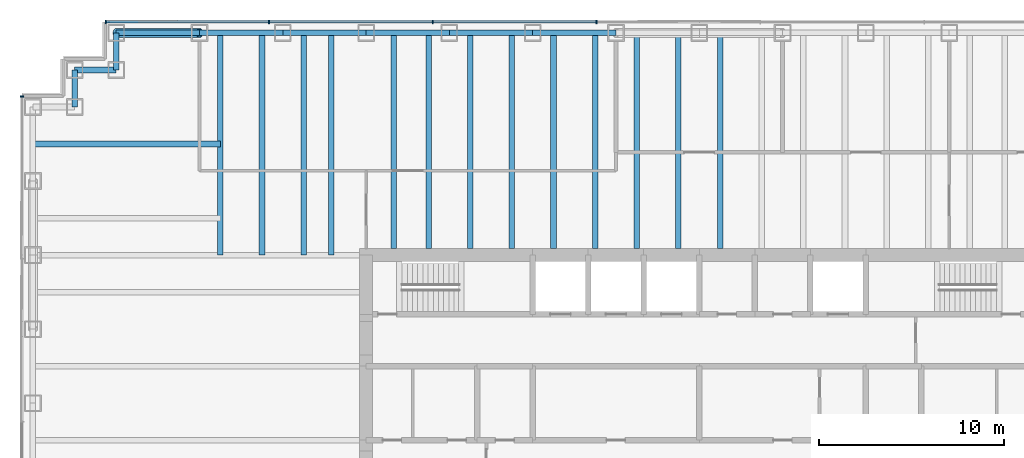
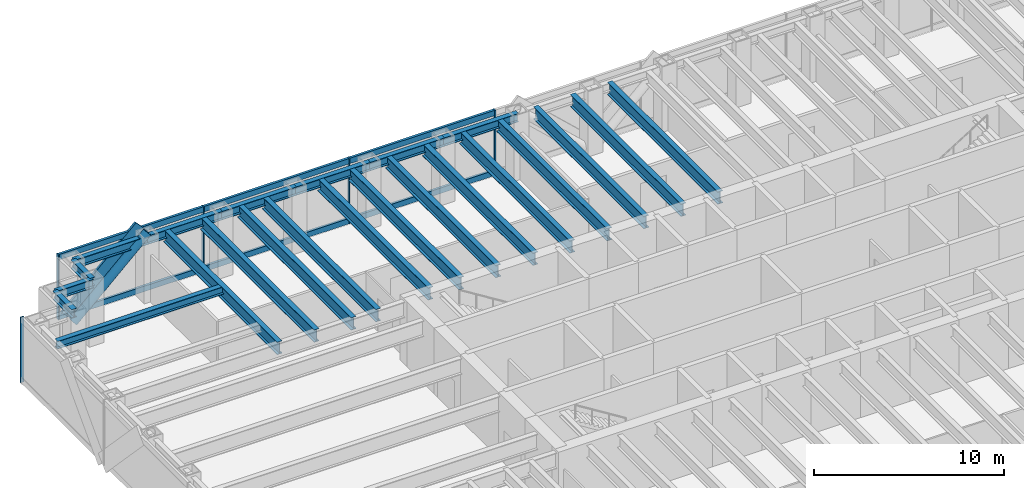
# One storey, part 6 of 17: 23 beams, 13 members, 2 elements without a shape of their own.
"""IFC4 building model written with IfcOpenShell, lengths in metres."""

from ifc_helpers import new_model, si_unit, direction, frame, origin, origin_2d, place, context, subcontext, project, spatial, rectangle, hollow_circle, i_section, extrude, material, material_profile, profile_set, type_object, element, aggregate, save


model = new_model("IFC4")

# Units and contexts
model_context = context("Model", 3, precision=1e-05, world=origin(), true_north=direction((0.0, 1.0)))
body_context = subcontext(model_context, "Body", "Model", "MODEL_VIEW")
ifc_project = project(units=[si_unit("LENGTHUNIT", "METRE"), si_unit("AREAUNIT", "SQUARE_METRE"), si_unit("VOLUMEUNIT", "CUBIC_METRE"), si_unit("PLANEANGLEUNIT", "RADIAN"), si_unit("MASSUNIT", "GRAM", prefix="KILO")], contexts=[model_context])

# Site, building, storey
site_placement = place(None, origin())
site = spatial("IfcSite", under=ifc_project, at=site_placement, CompositionType="ELEMENT")
building_placement = place(site_placement, origin())
building = spatial("IfcBuilding", under=site, at=building_placement, Name="Rheinbord Bourse Tower", CompositionType="ELEMENT")
storey_placement = place(building_placement, frame((0.0, 0.0, 304.699951171875)))
storey = spatial("IfcBuildingStorey", under=building, at=storey_placement, Name="L69", CompositionType="ELEMENT", Elevation=304.699951171875)

# Curtain wall, members
ifc_material_1 = material(Name="Dark glass and black aluminium", Category="aluminium")
curtain_wall_type = type_object("IfcCurtainWallType", Name="CW3 DARK GLASS CURTAIN WALL", PredefinedType="USERDEFINED", material=ifc_material_1)
curtain_wall_1_placement = place(storey_placement, origin())
curtain_wall_1 = element("IfcCurtainWall", 1, at=curtain_wall_1_placement, inside=storey, type_object=curtain_wall_type, Name="Curtain wall CW3 N L69", ObjectType="UNITISED CURTAIN WALL", PredefinedType="USERDEFINED")
ifc_material_2 = material(Name="Black anodised aluminium", Category="aluminium")
ifc_material_profile_1 = material_profile(ifc_material_2, rectangle(XDim=0.14990234375, YDim=1.10791015625, at=origin_2d()), Name="CW3 DIAGONAL MULLION 1108x150")
ifc_profile_set_1 = profile_set([ifc_material_profile_1], Name="Black anodised aluminium")
member_type_1 = type_object("IfcMemberType", Name="CW3 BLACK DIAGONAL MULLION", PredefinedType="USERDEFINED", material=ifc_profile_set_1)
member_1_placement = place(storey_placement, frame((4.5, 44.60009765625, 0.0), z_axis=(0.73105922506, 0.0, 0.682314010889), x_axis=(0.0, 1.0, 0.0)))
member_1 = element("IfcMember", 2, at=member_1_placement, type_object=member_type_1, Name="CW3 diagonal mullion b", ObjectType="DIAGONAL MULLION", PredefinedType="USERDEFINED", context=body_context, shape_type="SweptSolid", body=[
    extrude(rectangle(XDim=0.14990234375, YDim=1.10791015625, at=origin_2d()), origin(), (0.0, 0.0, 1.0), 6.155517578125),
])
ifc_material_3 = material(Name="Black anodised aluminium", Category="aluminium")
ifc_material_profile_2 = material_profile(ifc_material_3, rectangle(XDim=0.199951171875, YDim=0.06494140625, at=origin_2d()), Name="CW3 MULLION 65x200")
ifc_profile_set_2 = profile_set([ifc_material_profile_2], Name="Black anodised aluminium")
member_type_2 = type_object("IfcMemberType", Name="CW3 BLACK MULLION", PredefinedType="MULLION", material=ifc_profile_set_2)
member_2_placement = place(storey_placement, frame((30.449951171875, 44.60009765625, 0.0), z_axis=(0.0, 0.0, 1.0), x_axis=(0.0, -1.0, 0.0)))
member_2 = element("IfcMember", 3, at=member_2_placement, type_object=member_type_2, Name="CW3 mullion 5", PredefinedType="MULLION", context=body_context, shape_type="SweptSolid", body=[
    extrude(rectangle(XDim=0.199951171875, YDim=0.06494140625, at=origin_2d()), origin(), (0.0, 0.0, 1.0), 4.199951171875),
])
member_3_placement = place(storey_placement, frame((21.60009765625, 44.60009765625, 0.0), z_axis=(0.0, 0.0, 1.0), x_axis=(0.0, -1.0, 0.0)))
member_3 = element("IfcMember", 4, at=member_3_placement, type_object=member_type_2, Name="CW3 mullion 6", PredefinedType="MULLION", context=body_context, shape_type="SweptSolid", body=[
    extrude(rectangle(XDim=0.199951171875, YDim=0.06494140625, at=origin_2d()), origin(), (0.0, 0.0, 1.0), 4.199951171875),
])
member_4_placement = place(storey_placement, frame((12.75, 44.60009765625, 0.0), z_axis=(0.0, 0.0, 1.0), x_axis=(0.0, -1.0, 0.0)))
member_4 = element("IfcMember", 5, at=member_4_placement, type_object=member_type_2, Name="CW3 mullion 7", PredefinedType="MULLION", context=body_context, shape_type="SweptSolid", body=[
    extrude(rectangle(XDim=0.199951171875, YDim=0.06494140625, at=origin_2d()), origin(), (0.0, 0.0, 1.0), 4.199951171875),
])
member_5_placement = place(storey_placement, frame((3.9326171875, 44.60009765625, 0.0), z_axis=(0.0, 0.0, 1.0), x_axis=(0.0, -1.0, 0.0)))
member_5 = element("IfcMember", 6, at=member_5_placement, type_object=member_type_2, Name="CW3 mullion 8", PredefinedType="MULLION", context=body_context, shape_type="SweptSolid", body=[
    extrude(rectangle(XDim=0.199951171875, YDim=0.06494140625, at=origin_2d()), origin(), (0.0, 0.0, 1.0), 4.199951171875),
])

# Curtain wall, member
curtain_wall_2_placement = place(storey_placement, origin())
curtain_wall_2 = element("IfcCurtainWall", 7, at=curtain_wall_2_placement, inside=storey, type_object=curtain_wall_type, Name="Curtain wall CW3 W L69", ObjectType="UNITISED CURTAIN WALL", PredefinedType="USERDEFINED")
member_6_placement = place(storey_placement, frame((-0.60009765625, 40.5673828125, 0.0), z_axis=(0.0, 0.0, 1.0), x_axis=(1.0, 0.0, 0.0)))
member_6 = element("IfcMember", 8, at=member_6_placement, type_object=member_type_2, Name="CW3 mullion 1", PredefinedType="MULLION", context=body_context, shape_type="SweptSolid", body=[
    extrude(rectangle(XDim=0.199951171875, YDim=0.06494140625, at=origin_2d()), origin(), (0.0, 0.0, 1.0), 4.199951171875),
])
aggregate(curtain_wall_2, [member_6])

# Member
ifc_material_4 = material(Name="Black anodised aluminium", Category="aluminium")
ifc_material_profile_3 = material_profile(ifc_material_4, rectangle(XDim=0.14990234375, YDim=0.35009765625, at=origin_2d()), Name="CW3 TRANSOM 350x150")
ifc_profile_set_3 = profile_set([ifc_material_profile_3], Name="Black anodised aluminium")
member_type_3 = type_object("IfcMemberType", Name="CW3 BLACK TRANSOM", PredefinedType="USERDEFINED", material=ifc_profile_set_3)
member_7_placement = place(storey_placement, frame((30.41748046875, 44.60009765625, 0.175048828125), z_axis=(-1.0, 0.0, 0.0), x_axis=(0.0, -1.0, 0.0)))
member_7 = element("IfcMember", 9, at=member_7_placement, type_object=member_type_3, Name="CW3 transom 5.1", ObjectType="TRANSOM", PredefinedType="USERDEFINED", context=body_context, shape_type="SweptSolid", body=[
    extrude(rectangle(XDim=0.14990234375, YDim=0.35009765625, at=origin_2d()), origin(), (0.0, 0.0, 1.0), 8.784912109375),
])

member_8_placement = place(storey_placement, frame((30.41748046875, 44.60009765625, 4.025146484375), z_axis=(-1.0, 0.0, 0.0), x_axis=(0.0, -1.0, 0.0)))
member_8 = element("IfcMember", 10, at=member_8_placement, type_object=member_type_3, Name="CW3 transom 5.2", ObjectType="TRANSOM", PredefinedType="USERDEFINED", context=body_context, shape_type="SweptSolid", body=[
    extrude(rectangle(XDim=0.14990234375, YDim=0.35009765625, at=origin_2d()), origin(), (0.0, 0.0, 1.0), 8.784912109375),
])

member_9_placement = place(storey_placement, frame((21.5673828125, 44.60009765625, 0.175048828125), z_axis=(-1.0, 0.0, 0.0), x_axis=(0.0, -1.0, 0.0)))
member_9 = element("IfcMember", 11, at=member_9_placement, type_object=member_type_3, Name="CW3 transom 6.1", ObjectType="TRANSOM", PredefinedType="USERDEFINED", context=body_context, shape_type="SweptSolid", body=[
    extrude(rectangle(XDim=0.14990234375, YDim=0.35009765625, at=origin_2d()), origin(), (0.0, 0.0, 1.0), 8.784912109375),
])

member_10_placement = place(storey_placement, frame((21.5673828125, 44.60009765625, 4.025146484375), z_axis=(-1.0, 0.0, 0.0), x_axis=(0.0, -1.0, 0.0)))
member_10 = element("IfcMember", 12, at=member_10_placement, type_object=member_type_3, Name="CW3 transom 6.2", ObjectType="TRANSOM", PredefinedType="USERDEFINED", context=body_context, shape_type="SweptSolid", body=[
    extrude(rectangle(XDim=0.14990234375, YDim=0.35009765625, at=origin_2d()), origin(), (0.0, 0.0, 1.0), 8.784912109375),
])

member_11_placement = place(storey_placement, frame((12.717529296875, 44.60009765625, 0.175048828125), z_axis=(-1.0, 0.0, 0.0), x_axis=(0.0, -1.0, 0.0)))
member_11 = element("IfcMember", 13, at=member_11_placement, type_object=member_type_3, Name="CW3 transom 7.1", ObjectType="TRANSOM", PredefinedType="USERDEFINED", context=body_context, shape_type="SweptSolid", body=[
    extrude(rectangle(XDim=0.14990234375, YDim=0.35009765625, at=origin_2d()), origin(), (0.0, 0.0, 1.0), 8.75244140625),
])

member_12_placement = place(storey_placement, frame((12.717529296875, 44.60009765625, 4.025146484375), z_axis=(-1.0, 0.0, 0.0), x_axis=(0.0, -1.0, 0.0)))
member_12 = element("IfcMember", 14, at=member_12_placement, type_object=member_type_3, Name="CW3 transom 7.2", ObjectType="TRANSOM", PredefinedType="USERDEFINED", context=body_context, shape_type="SweptSolid", body=[
    extrude(rectangle(XDim=0.14990234375, YDim=0.35009765625, at=origin_2d()), origin(), (0.0, 0.0, 1.0), 8.75244140625),
])

aggregate(curtain_wall_1, [member_2, member_3, member_4, member_5, member_7, member_8, member_9, member_10, member_11, member_12, member_1])

# Beams
ifc_material_5 = material(Name="Steel S460", Category="steel")
ifc_material_profile_4 = material_profile(ifc_material_5, i_section(OverallWidth=0.300048828125, OverallDepth=0.800048828125, WebThickness=0.017578125, FlangeThickness=0.032958984375, at=origin_2d()), Name="HEB 800")
ifc_profile_set_4 = profile_set([ifc_material_profile_4], Name="Steel S460")
beam_type_1 = type_object("IfcBeamType", Name="FLOOR BEAM HEB 800", PredefinedType="BEAM", material=ifc_profile_set_4)
for number, where, z_axis, x_axis, name in (
    (15, (10.125, 44.0, 3.64013671875), (0.0, -1.0, 0.0), (1.0, 0.0, 0.0), "Floor beam N-9a L70"),
    (16, (12.375, 44.0, 3.64013671875), (0.0, -1.0, 0.0), (1.0, 0.0, 0.0), "Floor beam N-9b L70"),
    (17, (14.625, 44.0, 3.64013671875), (0.0, -1.0, 0.0), (1.0, 0.0, 0.0), "Floor beam N-13.5a L70"),
    (18, (16.125, 44.0, 3.64013671875), (0.0, -1.0, 0.0), (1.0, 0.0, 0.0), "Floor beam N-13.5b L70"),
):
    element("IfcBeam", number, at=place(storey_placement, frame(where, z_axis=z_axis, x_axis=x_axis)), inside=storey, type_object=beam_type_1, Name=name, PredefinedType="BEAM", context=body_context, shape_type="SweptSolid", body=[
        extrude(i_section(OverallWidth=0.300048828125, OverallDepth=0.800048828125, WebThickness=0.017578125, FlangeThickness=0.032958984375, at=origin_2d()), origin(), (0.0, 0.0, 1.0), 12.0),
    ])
for number, where, z_axis, x_axis, name in (
    (19, (19.5, 44.0, 3.64013671875), (0.0, -1.0, 0.0), (1.0, 0.0, 0.0), "Floor beam N-18a L70"),
    (20, (21.375, 44.0, 3.64013671875), (0.0, -1.0, 0.0), (1.0, 0.0, 0.0), "Floor beam N-18b L70"),
    (21, (23.625, 44.0, 3.64013671875), (0.0, -1.0, 0.0), (1.0, 0.0, 0.0), "Floor beam N-22.5a L70"),
    (22, (25.875, 44.0, 3.64013671875), (0.0, -1.0, 0.0), (1.0, 0.0, 0.0), "Floor beam N-22.5b L70"),
    (23, (28.125, 44.0, 3.64013671875), (0.0, -1.0, 0.0), (1.0, 0.0, 0.0), "Floor beam N-27a L70"),
    (24, (30.375, 44.0, 3.64013671875), (0.0, -1.0, 0.0), (1.0, 0.0, 0.0), "Floor beam N-27b L70"),
    (25, (32.625, 44.0, 3.64013671875), (0.0, -1.0, 0.0), (1.0, 0.0, 0.0), "Floor beam N-31.5a L70"),
    (26, (34.875, 44.0, 3.64013671875), (0.0, -1.0, 0.0), (1.0, 0.0, 0.0), "Floor beam N-31.5b L70"),
    (27, (37.125, 44.0, 3.64013671875), (0.0, -1.0, 0.0), (1.0, 0.0, 0.0), "Floor beam N-36a L70"),
):
    element("IfcBeam", number, at=place(storey_placement, frame(where, z_axis=z_axis, x_axis=x_axis)), inside=storey, type_object=beam_type_1, Name=name, PredefinedType="BEAM", context=body_context, shape_type="SweptSolid", body=[
        extrude(i_section(OverallWidth=0.300048828125, OverallDepth=0.800048828125, WebThickness=0.017578125, FlangeThickness=0.032958984375, at=origin_2d()), origin(), (0.0, 0.0, 1.0), 11.64990234375),
    ])

# Member
ifc_material_6 = material(Name="Steel S460", Category="steel")
ifc_material_profile_5 = material_profile(ifc_material_6, hollow_circle(Radius=0.25390625, WallThickness=0.030029296875, at=origin_2d()), Name="CHS 508x30")
ifc_profile_set_5 = profile_set([ifc_material_profile_5], Name="Steel S460")
member_type_4 = type_object("IfcMemberType", Name="MEGABRACE CHS 508x30", PredefinedType="BRACE", material=ifc_profile_set_5)
member_13_placement = place(storey_placement, frame((4.5, 44.0, 0.0), z_axis=(0.73105922506, 0.0, 0.682314010889), x_axis=(0.0, 1.0, 0.0)))
element("IfcMember", 28, at=member_13_placement, inside=storey, type_object=member_type_4, Name="Megabrace N face line b L69", PredefinedType="BRACE", context=body_context, shape_type="SweptSolid", body=[
    extrude(hollow_circle(Radius=0.25390625, WallThickness=0.030029296875, at=origin_2d()), origin(), (0.0, 0.0, 1.0), 6.155517578125),
])

# Beams
ifc_material_7 = material(Name="Steel S460", Category="steel")
ifc_material_profile_6 = material_profile(ifc_material_7, i_section(OverallWidth=0.300048828125, OverallDepth=0.550048828125, WebThickness=0.014892578125, FlangeThickness=0.029052734375, at=origin_2d()), Name="HEB 550")
ifc_profile_set_6 = profile_set([ifc_material_profile_6], Name="Steel S460")
beam_type_2 = type_object("IfcBeamType", Name="SPANDREL HEB 550", PredefinedType="SPANDREL", material=ifc_profile_set_6)
for number, where, z_axis, x_axis, name in (
    (29, (31.5, 44.0, 3.76513671875), (-1.0, 0.0, 0.0), (0.0, -1.0, 0.0), "Spandrel N-31.5-N-27 under L70"),
    (30, (27.0, 44.0, 3.76513671875), (-1.0, 0.0, 0.0), (0.0, -1.0, 0.0), "Spandrel N-27-N-22.5 under L70"),
    (31, (22.5, 44.0, 3.76513671875), (-1.0, 0.0, 0.0), (0.0, -1.0, 0.0), "Spandrel N-22.5-N-18 under L70"),
    (32, (18.0, 44.0, 3.76513671875), (-1.0, 0.0, 0.0), (0.0, -1.0, 0.0), "Spandrel N-18-N-13.5 under L70"),
    (33, (13.5, 44.0, 3.76513671875), (-1.0, 0.0, 0.0), (0.0, -1.0, 0.0), "Spandrel N-13.5-N-9 under L70"),
    (34, (9.0, 44.0, 3.76513671875), (-1.0, 0.0, 0.0), (0.0, -1.0, 0.0), "Spandrel N-9-NW-E under L70"),
):
    element("IfcBeam", number, at=place(storey_placement, frame(where, z_axis=z_axis, x_axis=x_axis)), inside=storey, type_object=beam_type_2, Name=name, PredefinedType="SPANDREL", context=body_context, shape_type="SweptSolid", body=[
        extrude(i_section(OverallWidth=0.300048828125, OverallDepth=0.550048828125, WebThickness=0.014892578125, FlangeThickness=0.029052734375, at=origin_2d()), origin(), (0.0, 0.0, 1.0), 4.5),
    ])
beam_1_placement = place(storey_placement, frame((4.5, 44.0, 3.76513671875), z_axis=(0.0, -1.0, 0.0), x_axis=(1.0, 0.0, 0.0)))
element("IfcBeam", 35, at=beam_1_placement, inside=storey, type_object=beam_type_2, Name="Spandrel NW-E-NW-D under L70", PredefinedType="SPANDREL", context=body_context, shape_type="SweptSolid", body=[
    extrude(i_section(OverallWidth=0.300048828125, OverallDepth=0.550048828125, WebThickness=0.014892578125, FlangeThickness=0.029052734375, at=origin_2d()), origin(), (0.0, 0.0, 1.0), 2.0),
])
beam_2_placement = place(storey_placement, frame((4.5, 42.0, 3.76513671875), z_axis=(-1.0, 0.0, 0.0), x_axis=(0.0, -1.0, 0.0)))
element("IfcBeam", 36, at=beam_2_placement, inside=storey, type_object=beam_type_2, Name="Spandrel NW-D-NW-C under L70", PredefinedType="SPANDREL", context=body_context, shape_type="SweptSolid", body=[
    extrude(i_section(OverallWidth=0.300048828125, OverallDepth=0.550048828125, WebThickness=0.014892578125, FlangeThickness=0.029052734375, at=origin_2d()), origin(), (0.0, 0.0, 1.0), 2.25),
])
beam_3_placement = place(storey_placement, frame((2.25, 42.0, 3.76513671875), z_axis=(0.0, -1.0, 0.0), x_axis=(1.0, 0.0, 0.0)))
element("IfcBeam", 37, at=beam_3_placement, inside=storey, type_object=beam_type_2, Name="Spandrel NW-C-NW-B under L70", PredefinedType="SPANDREL", context=body_context, shape_type="SweptSolid", body=[
    extrude(i_section(OverallWidth=0.300048828125, OverallDepth=0.550048828125, WebThickness=0.014892578125, FlangeThickness=0.029052734375, at=origin_2d()), origin(), (0.0, 0.0, 1.0), 2.0),
])
ifc_material_8 = material(Name="Steel S460", Category="steel")
ifc_material_profile_7 = material_profile(ifc_material_8, i_section(OverallWidth=0.300048828125, OverallDepth=0.5, WebThickness=0.014404296875, FlangeThickness=0.028076171875, at=origin_2d()), Name="HEB 500")
ifc_profile_set_7 = profile_set([ifc_material_profile_7], Name="Steel S460")
beam_type_3 = type_object("IfcBeamType", Name="TIE BEAM HEB 500", PredefinedType="JOIST", material=ifc_profile_set_7)
beam_4_placement = place(storey_placement, frame((0.0, 38.0, 3.7900390625), z_axis=(1.0, 0.0, 0.0), x_axis=(0.0, 1.0, 0.0)))
element("IfcBeam", 38, at=beam_4_placement, inside=storey, type_object=beam_type_3, Name="Tie west 38 L70", PredefinedType="JOIST", context=body_context, shape_type="SweptSolid", body=[
    extrude(i_section(OverallWidth=0.300048828125, OverallDepth=0.5, WebThickness=0.014404296875, FlangeThickness=0.028076171875, at=origin_2d()), origin(), (0.0, 0.0, 1.0), 10.125),
])

save(model, "model.ifc")
